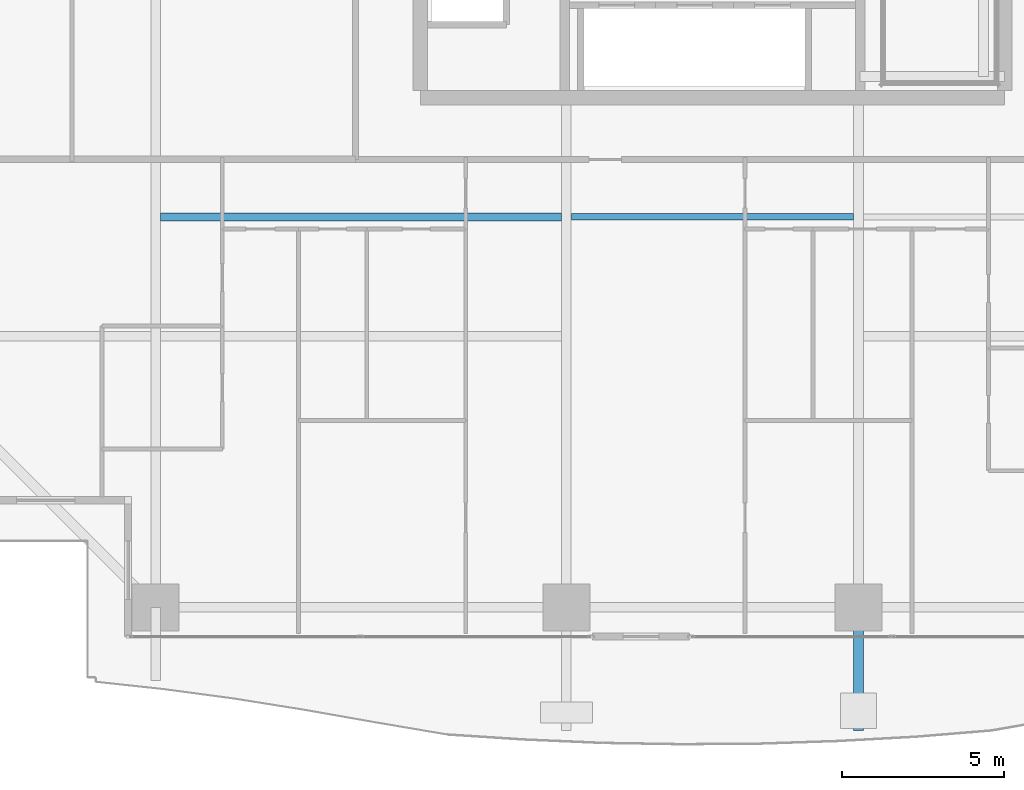
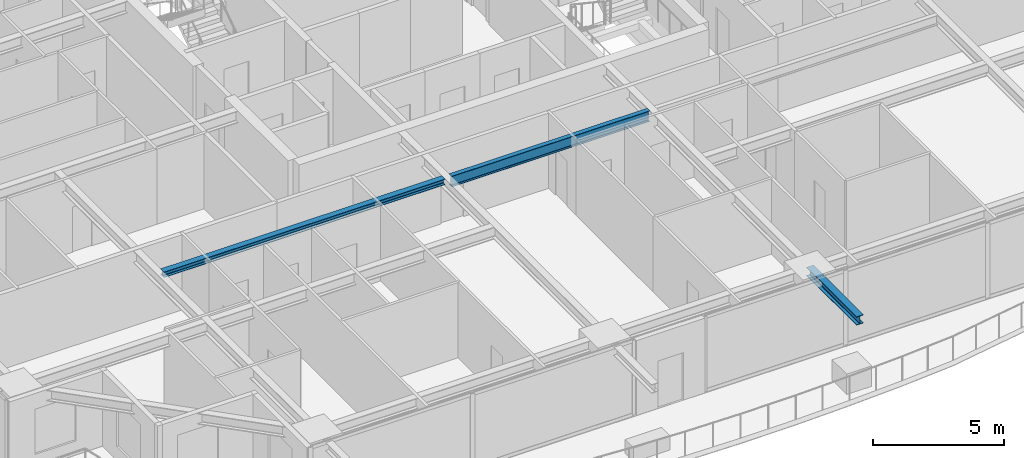
# One storey, part 10 of 40: 3 beams.
"""IFC4 building model written with IfcOpenShell, lengths in metres."""

from ifc_helpers import new_model, si_unit, direction, frame, origin, origin_2d, place, context, subcontext, project, spatial, i_section, extrude, source, transform, mapped, material, material_profile, profile_set, type_object, element, save


model = new_model("IFC4")

# Units and contexts
model_context = context("Model", 3, precision=1e-05, world=origin(), true_north=direction((0.0, 1.0)))
body_context = subcontext(model_context, "Body", "Model", "MODEL_VIEW")
ifc_project = project(units=[si_unit("LENGTHUNIT", "METRE"), si_unit("AREAUNIT", "SQUARE_METRE"), si_unit("VOLUMEUNIT", "CUBIC_METRE"), si_unit("PLANEANGLEUNIT", "RADIAN"), si_unit("MASSUNIT", "GRAM", prefix="KILO")], contexts=[model_context])

# Site, building, storey
site_placement = place(None, origin())
site = spatial("IfcSite", under=ifc_project, at=site_placement, CompositionType="ELEMENT")
building_placement = place(site_placement, origin())
building = spatial("IfcBuilding", under=site, at=building_placement, Name="Serunith Strait Residences", CompositionType="ELEMENT")
storey_placement = place(building_placement, frame((0.0, 0.0, 90.449951171875)))
storey = spatial("IfcBuildingStorey", under=building, at=storey_placement, Name="L22", CompositionType="ELEMENT", Elevation=90.449951171875)

# Beams
ifc_material = material(Name="Steel S355J2", Category="steel")
ifc_material_profile_1 = material_profile(ifc_material, i_section(OverallWidth=0.300048828125, OverallDepth=0.39990234375, WebThickness=0.013427734375, FlangeThickness=0.02392578125, FilletRadius=0.027099609375, at=origin_2d()), Name="HEB 400")
ifc_profile_set_1 = profile_set([ifc_material_profile_1], Name="Steel S355J2")
beam_type_1 = type_object("IfcBeamType", Name="BM-HEB400", PredefinedType="BEAM", material=ifc_profile_set_1)
shared_shape_1 = source(origin(), body_context, "Body", "SweptSolid", [
    extrude(i_section(OverallWidth=0.300048828125, OverallDepth=0.39990234375, WebThickness=0.013427734375, FlangeThickness=0.02392578125, FilletRadius=0.027099609375, at=origin_2d()), origin(), (0.0, 0.0, 1.0), 3.800048828125),
])
beam_1_placement = place(storey_placement, frame((36.89990234375, 1.10009765625, 3.257080078125), z_axis=(0.0, -1.0, 0.0), x_axis=(1.0, 0.0, 0.0)))
element("IfcBeam", 1, at=beam_1_placement, inside=storey, type_object=beam_type_1, Name="L23 Cantilevered Balcony Rib TC-S3", PredefinedType="BEAM", context=body_context, shape_type="MappedRepresentation", body=[
    mapped(shared_shape_1, transform((0.0, 0.0, 0.0), scale=1.0)),
])
ifc_material_profile_2 = material_profile(ifc_material, i_section(OverallWidth=0.260009765625, OverallDepth=0.260009765625, WebThickness=0.010009765625, FlangeThickness=0.017578125, FilletRadius=0.02392578125, at=origin_2d()), Name="HEB 260")
ifc_profile_set_2 = profile_set([ifc_material_profile_2], Name="Steel S355J2")
beam_type_2 = type_object("IfcBeamType", Name="BM-HEB260", PredefinedType="JOIST", material=ifc_profile_set_2)
shared_shape_2 = source(origin(), body_context, "Body", "SweptSolid", [
    extrude(i_section(OverallWidth=0.260009765625, OverallDepth=0.260009765625, WebThickness=0.010009765625, FlangeThickness=0.017578125, FilletRadius=0.02392578125, at=origin_2d()), origin(), (0.0, 0.0, 1.0), 12.35009765625),
])
beam_2_placement = place(storey_placement, frame((15.39990234375, 13.125, 3.35693359375), z_axis=(1.0, 0.0, 0.0), x_axis=(0.0, 1.0, 0.0)))
element("IfcBeam", 2, at=beam_2_placement, inside=storey, type_object=beam_type_2, Name="L22 Composite Floor Joist 01", PredefinedType="JOIST", context=body_context, shape_type="MappedRepresentation", body=[
    mapped(shared_shape_2, transform((0.0, 0.0, 0.0), scale=1.0)),
])
ifc_material_profile_3 = material_profile(ifc_material, i_section(OverallWidth=0.199951171875, OverallDepth=0.5, WebThickness=0.01025390625, FlangeThickness=0.01611328125, FilletRadius=0.02099609375, at=origin_2d()), Name="IPE 500")
ifc_profile_set_3 = profile_set([ifc_material_profile_3], Name="Steel S355J2")
beam_type_3 = type_object("IfcBeamType", Name="BM-IPE500", PredefinedType="JOIST", material=ifc_profile_set_3)
shared_shape_3 = source(origin(), body_context, "Body", "SweptSolid", [
    extrude(i_section(OverallWidth=0.199951171875, OverallDepth=0.5, WebThickness=0.01025390625, FlangeThickness=0.01611328125, FilletRadius=0.02099609375, at=origin_2d()), origin(), (0.0, 0.0, 1.0), 8.699951171875),
])
beam_3_placement = place(storey_placement, frame((28.050048828125, 13.125, 3.237060546875), z_axis=(1.0, 0.0, 0.0), x_axis=(0.0, 1.0, 0.0)))
element("IfcBeam", 3, at=beam_3_placement, inside=storey, type_object=beam_type_3, Name="L22 Composite Floor Joist 02", PredefinedType="JOIST", context=body_context, shape_type="MappedRepresentation", body=[
    mapped(shared_shape_3, transform((0.0, 0.0, 0.0), scale=1.0)),
])

save(model, "model.ifc")
